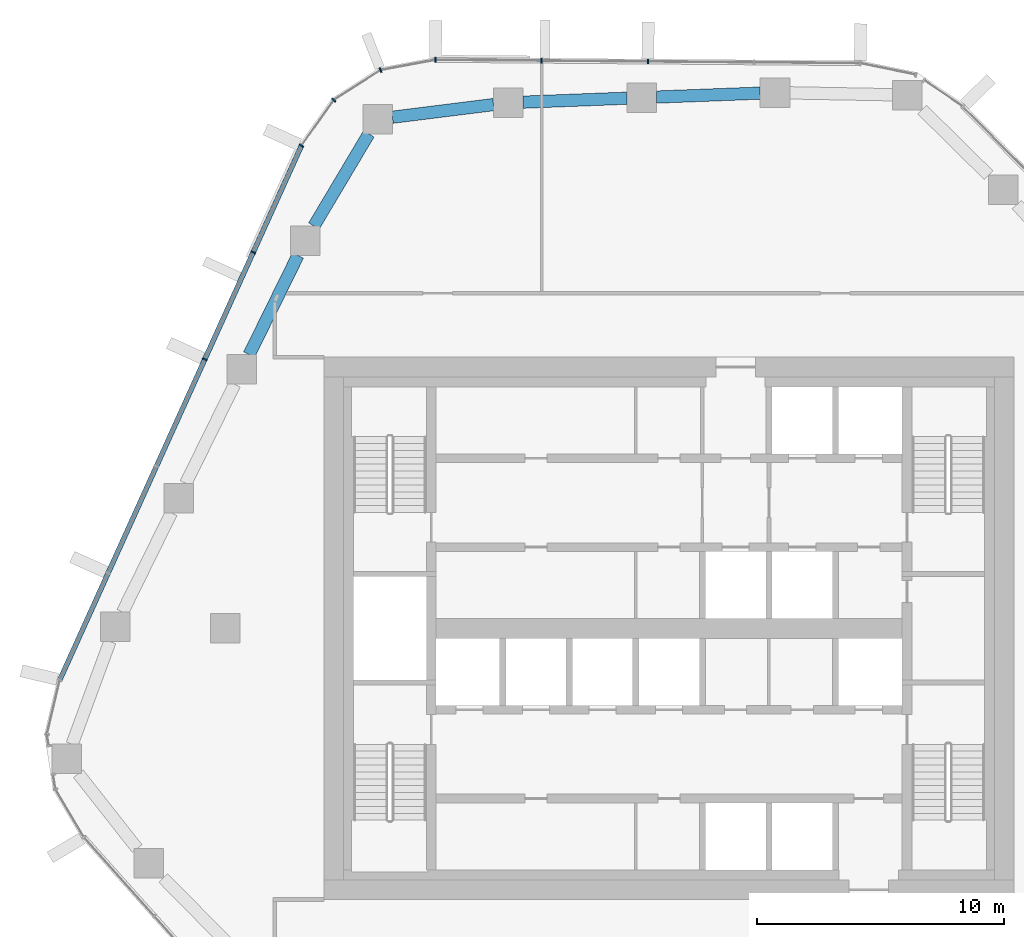
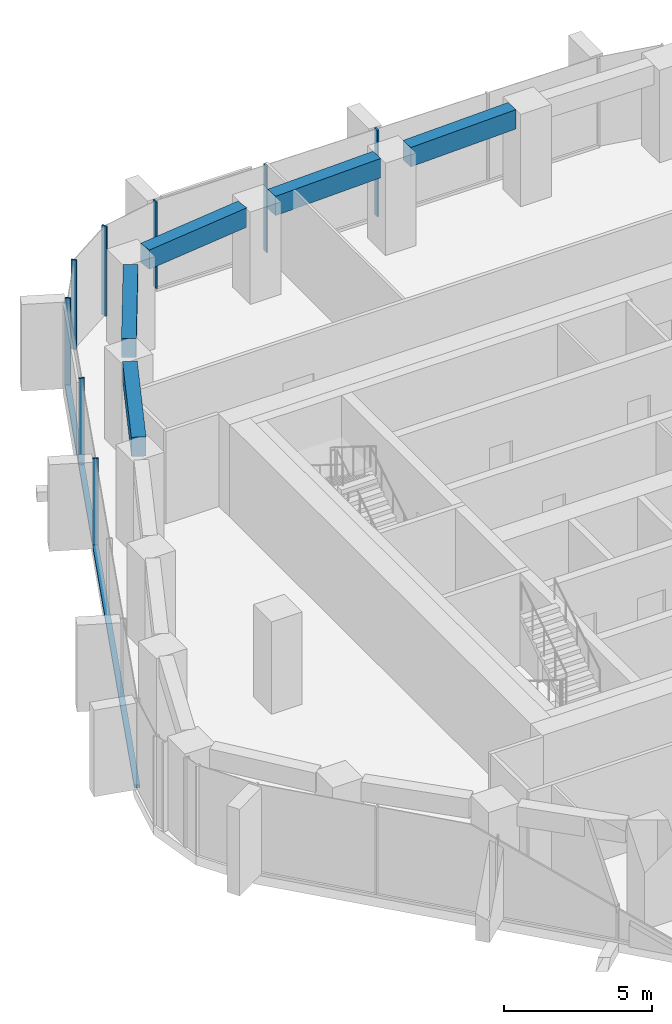
# One storey, part 5 of 17: 9 members, 5 beams, 3 elements without a shape of their own.
"""IFC4 building model written with IfcOpenShell, lengths in metres."""

from ifc_helpers import new_model, si_unit, direction, frame, origin, origin_2d, place, context, subcontext, project, spatial, rectangle, extrude, material, layer, layer_set, material_profile, profile_set, type_object, element, aggregate, save


model = new_model("IFC4")

# Units and contexts
model_context = context("Model", 3, precision=1e-05, world=origin(), true_north=direction((0.0, 1.0)))
body_context = subcontext(model_context, "Body", "Model", "MODEL_VIEW")
ifc_project = project(units=[si_unit("LENGTHUNIT", "METRE"), si_unit("AREAUNIT", "SQUARE_METRE"), si_unit("VOLUMEUNIT", "CUBIC_METRE"), si_unit("PLANEANGLEUNIT", "RADIAN"), si_unit("MASSUNIT", "GRAM", prefix="KILO")], contexts=[model_context])

# Site, building, storey
site_placement = place(None, origin())
site = spatial("IfcSite", under=ifc_project, at=site_placement, CompositionType="ELEMENT")
building_placement = place(site_placement, origin())
building = spatial("IfcBuilding", under=site, at=building_placement, Name="Dongbaek Canopy Tower", CompositionType="ELEMENT")
storey_placement = place(building_placement, frame((0.0, 0.0, 175.39990234375)))
storey = spatial("IfcBuildingStorey", under=building, at=storey_placement, Name="L38", CompositionType="ELEMENT", Elevation=175.39990234375)

# Curtain wall, members
ifc_material_1 = material(Name="Aluminium 6063-T6 pale anodised", Category="aluminium")
ifc_layer = layer(ifc_material_1, 0.199951171875)
ifc_layer_set = layer_set([ifc_layer], Name="CW-1 unitised tower curtain wall")
curtain_wall_type = type_object("IfcCurtainWallType", Name="CW-1 unitised tower curtain wall", PredefinedType="NOTDEFINED", material=ifc_layer_set)
curtain_wall_1_placement = place(storey_placement, origin())
curtain_wall_1 = element("IfcCurtainWall", 1, at=curtain_wall_1_placement, inside=storey, type_object=curtain_wall_type, Name="CW-1 curtain wall F1.1", PredefinedType="NOTDEFINED")
ifc_material_2 = material(Name="Aluminium 6063-T6 pale anodised", Category="aluminium")
ifc_material_profile_1 = material_profile(ifc_material_2, rectangle(XDim=0.199951171875, YDim=0.06005859375, at=origin_2d()), Name="CW-1 mullion 60 x 200")
ifc_profile_set_1 = profile_set([ifc_material_profile_1], Name="Aluminium 6063-T6 pale anodised")
member_type_1 = type_object("IfcMemberType", Name="CW-1 mullion 60 x 200", PredefinedType="MULLION", material=ifc_profile_set_1)
member_1_placement = place(storey_placement, frame((-0.8603515625, 22.994873046875, 0.1201171875), z_axis=(0.0, 0.0, 1.0), x_axis=(0.007847305301, 0.999969209426, 0.0)))
member_1 = element("IfcMember", 2, at=member_1_placement, type_object=member_type_1, Name="CW-1 mullion F1.1.3", PredefinedType="MULLION", context=body_context, shape_type="SweptSolid", body=[
    extrude(rectangle(XDim=0.199951171875, YDim=0.06005859375, at=origin_2d()), origin(), (0.0, 0.0, 1.0), 3.580078125),
])
member_2_placement = place(storey_placement, frame((-5.17333984375, 23.028564453125, 0.1201171875), z_axis=(0.0, 0.0, 1.0), x_axis=(0.007847305301, 0.999969209426, 0.0)))
member_2 = element("IfcMember", 3, at=member_2_placement, type_object=member_type_1, Name="CW-1 mullion F1.1.4", PredefinedType="MULLION", context=body_context, shape_type="SweptSolid", body=[
    extrude(rectangle(XDim=0.199951171875, YDim=0.06005859375, at=origin_2d()), origin(), (0.0, 0.0, 1.0), 3.580078125),
])
member_3_placement = place(storey_placement, frame((-9.476806640625, 23.0625, 0.1201171875), z_axis=(0.0, 0.0, 1.0), x_axis=(0.007847305301, 0.999969209426, 0.0)))
member_3 = element("IfcMember", 4, at=member_3_placement, type_object=member_type_1, Name="CW-1 mullion F1.1.5", PredefinedType="MULLION", context=body_context, shape_type="SweptSolid", body=[
    extrude(rectangle(XDim=0.199951171875, YDim=0.06005859375, at=origin_2d()), origin(), (0.0, 0.0, 1.0), 3.580078125),
])
aggregate(curtain_wall_1, [member_1, member_2, member_3])

curtain_wall_2_placement = place(storey_placement, origin())
curtain_wall_2 = element("IfcCurtainWall", 5, at=curtain_wall_2_placement, inside=storey, type_object=curtain_wall_type, Name="CW-1 curtain wall K2.1", PredefinedType="NOTDEFINED")
member_4_placement = place(storey_placement, frame((-11.702880859375, 22.64697265625, 0.0), z_axis=(0.0, 0.0, 1.0), x_axis=(-0.367936190525, 0.929851041674, 0.0)))
member_4 = element("IfcMember", 6, at=member_4_placement, type_object=member_type_1, Name="CW-1 mullion K2.1.2", PredefinedType="MULLION", context=body_context, shape_type="SweptSolid", body=[
    extrude(rectangle(XDim=0.199951171875, YDim=0.06005859375, at=origin_2d()), origin(), (0.0, 0.0, 1.0), 3.7001953125),
])
member_5_placement = place(storey_placement, frame((-13.602294921875, 21.43212890625, 0.0), z_axis=(0.0, 0.0, 1.0), x_axis=(-0.689953246912, 0.723853933522, 0.0)))
member_5 = element("IfcMember", 7, at=member_5_placement, type_object=member_type_1, Name="CW-1 mullion K2.1.3", PredefinedType="MULLION", context=body_context, shape_type="SweptSolid", body=[
    extrude(rectangle(XDim=0.199951171875, YDim=0.06005859375, at=origin_2d()), origin(), (0.0, 0.0, 1.0), 3.7001953125),
])
member_6_placement = place(storey_placement, frame((-14.91259765625, 19.585205078125, 0.0), z_axis=(0.0, 0.0, 1.0), x_axis=(-0.815586707946, 0.578634877813, 0.0)))
member_6 = element("IfcMember", 8, at=member_6_placement, type_object=member_type_1, Name="CW-1 mullion K2.1.4", PredefinedType="MULLION", context=body_context, shape_type="SweptSolid", body=[
    extrude(rectangle(XDim=0.199951171875, YDim=0.06005859375, at=origin_2d()), origin(), (0.0, 0.0, 1.0), 3.7001953125),
])
aggregate(curtain_wall_2, [member_4, member_5, member_6])

curtain_wall_3_placement = place(storey_placement, origin())
curtain_wall_3 = element("IfcCurtainWall", 9, at=curtain_wall_3_placement, inside=storey, type_object=curtain_wall_type, Name="CW-1 curtain wall F2.1", PredefinedType="NOTDEFINED")
member_7_placement = place(storey_placement, frame((-16.87060546875, 15.255859375, 0.1201171875), z_axis=(0.0, 0.0, 1.0), x_axis=(-0.911147578037, 0.412080199763, 0.0)))
member_7 = element("IfcMember", 10, at=member_7_placement, type_object=member_type_1, Name="CW-1 mullion F2.1.2", PredefinedType="MULLION", context=body_context, shape_type="SweptSolid", body=[
    extrude(rectangle(XDim=0.199951171875, YDim=0.06005859375, at=origin_2d()), origin(), (0.0, 0.0, 1.0), 3.580078125),
])
member_8_placement = place(storey_placement, frame((-18.83251953125, 10.91796875, 0.1201171875), z_axis=(0.0, 0.0, 1.0), x_axis=(-0.911147578037, 0.412080199763, 0.0)))
member_8 = element("IfcMember", 11, at=member_8_placement, type_object=member_type_1, Name="CW-1 mullion F2.1.3", PredefinedType="MULLION", context=body_context, shape_type="SweptSolid", body=[
    extrude(rectangle(XDim=0.199951171875, YDim=0.06005859375, at=origin_2d()), origin(), (0.0, 0.0, 1.0), 3.580078125),
])
ifc_material_3 = material(Name="Aluminium 6063-T6 pale anodised", Category="aluminium")
ifc_material_profile_2 = material_profile(ifc_material_3, rectangle(XDim=0.199951171875, YDim=0.1201171875, at=origin_2d()), Name="CW-1 transom 120 x 200")
ifc_profile_set_2 = profile_set([ifc_material_profile_2], Name="Aluminium 6063-T6 pale anodised")
member_type_2 = type_object("IfcMemberType", Name="CW-1 transom 120 x 200", PredefinedType="USERDEFINED", material=ifc_profile_set_2)
member_9_placement = place(storey_placement, frame((-14.91259765625, 19.585205078125, 0.06005859375), z_axis=(-0.412075359847, -0.911149766947, 0.0), x_axis=(0.911149766947, -0.412075359847, 0.0)))
member_9 = element("IfcMember", 12, at=member_9_placement, type_object=member_type_2, Name="CW-1 transom F2.1.1", ObjectType="TRANSOM", PredefinedType="USERDEFINED", context=body_context, shape_type="SweptSolid", body=[
    extrude(rectangle(XDim=0.199951171875, YDim=0.1201171875, at=origin_2d()), origin(), (0.0, 0.0, 1.0), 23.78564453125),
])
aggregate(curtain_wall_3, [member_7, member_8, member_9])

# Beams
ifc_material_4 = material(Name="Concrete C70", Category="concrete")
ifc_material_profile_3 = material_profile(ifc_material_4, rectangle(XDim=0.5, YDim=0.800048828125, at=origin_2d()), Name="RC EDGE BEAM 500x800 C70")
ifc_profile_set_3 = profile_set([ifc_material_profile_3], Name="Concrete C70")
beam_type = type_object("IfcBeamType", Name="RC EDGE BEAM 500x800 C70", PredefinedType="BEAM", material=ifc_profile_set_3)
beam_1_placement = place(storey_placement, frame((-17.032958984375, 11.10498046875, 3.420166015625), z_axis=(0.441228982876, 0.89739455351, 0.0), x_axis=(-0.89739455351, 0.441228982876, 0.0)))
element("IfcBeam", 13, at=beam_1_placement, inside=storey, type_object=beam_type, Name="EDGEBEAM:L38:11", PredefinedType="BEAM", context=body_context, shape_type="SweptSolid", body=[
    extrude(rectangle(XDim=0.5, YDim=0.800048828125, at=origin_2d()), origin(), (0.0, 0.0, 1.0), 4.478515625),
])
beam_2_placement = place(storey_placement, frame((-14.40478515625, 16.323974609375, 3.420166015625), z_axis=(0.51151247975, 0.859275848061, 0.0), x_axis=(-0.859275848061, 0.51151247975, 0.0)))
element("IfcBeam", 14, at=beam_2_placement, inside=storey, type_object=beam_type, Name="EDGEBEAM:L38:12", PredefinedType="BEAM", context=body_context, shape_type="SweptSolid", body=[
    extrude(rectangle(XDim=0.5, YDim=0.800048828125, at=origin_2d()), origin(), (0.0, 0.0, 1.0), 4.34912109375),
])
beam_3_placement = place(storey_placement, frame((-11.222900390625, 20.73583984375, 3.420166015625), z_axis=(0.992289687294, 0.123940213368, 0.0), x_axis=(-0.123940213368, 0.992289687294, 0.0)))
element("IfcBeam", 15, at=beam_3_placement, inside=storey, type_object=beam_type, Name="EDGEBEAM:L38:13", PredefinedType="BEAM", context=body_context, shape_type="SweptSolid", body=[
    extrude(rectangle(XDim=0.5, YDim=0.800048828125, at=origin_2d()), origin(), (0.0, 0.0, 1.0), 4.1328125),
])
beam_4_placement = place(storey_placement, frame((-5.922119140625, 21.345947265625, 3.420166015625), z_axis=(0.999268092878, 0.038252824158, 0.0), x_axis=(-0.038252824158, 0.999268092878, 0.0)))
element("IfcBeam", 16, at=beam_4_placement, inside=storey, type_object=beam_type, Name="EDGEBEAM:L38:14", PredefinedType="BEAM", context=body_context, shape_type="SweptSolid", body=[
    extrude(rectangle(XDim=0.5, YDim=0.800048828125, at=origin_2d()), origin(), (0.0, 0.0, 1.0), 4.21240234375),
])
beam_5_placement = place(storey_placement, frame((-0.512939453125, 21.552978515625, 3.420166015625), z_axis=(0.999276508887, 0.0380323387, 0.0), x_axis=(-0.0380323387, 0.999276508887, 0.0)))
element("IfcBeam", 17, at=beam_5_placement, inside=storey, type_object=beam_type, Name="EDGEBEAM:L38:15", PredefinedType="BEAM", context=body_context, shape_type="SweptSolid", body=[
    extrude(rectangle(XDim=0.5, YDim=0.800048828125, at=origin_2d()), origin(), (0.0, 0.0, 1.0), 4.2109375),
])

save(model, "model.ifc")
